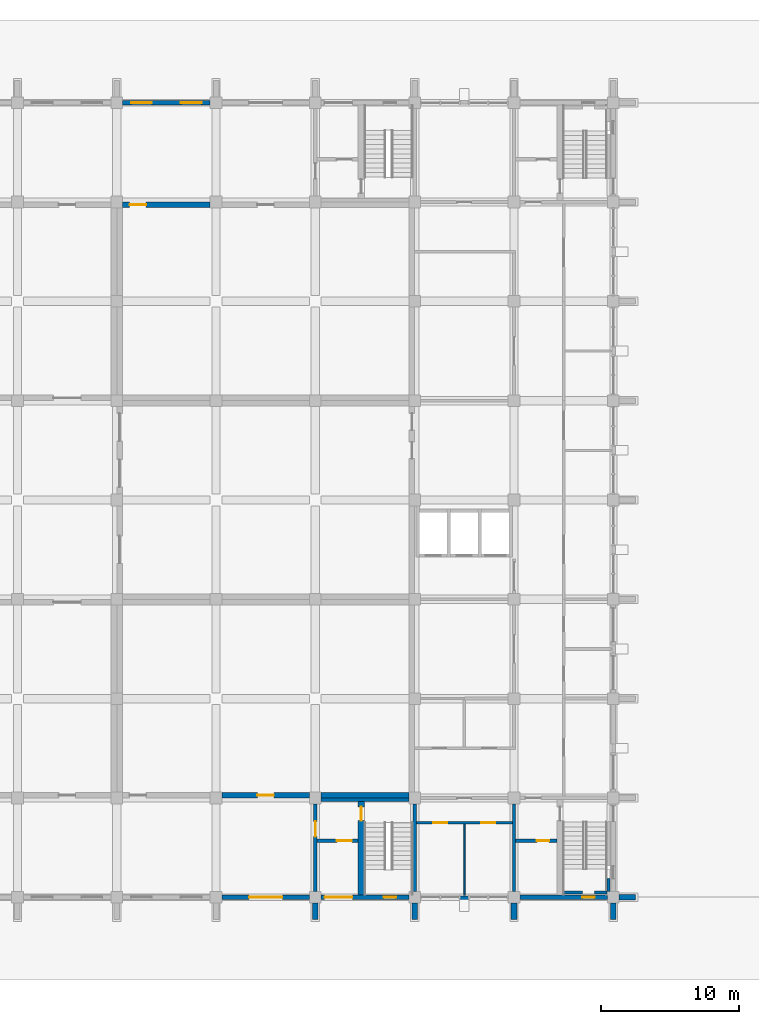
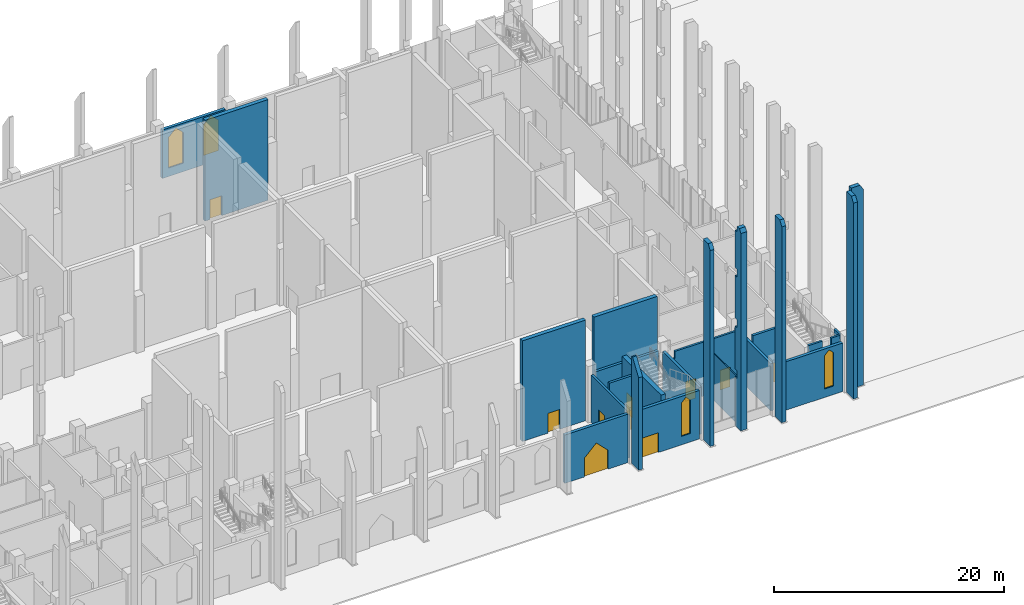
# One storey, part 36 of 50: 25 walls, 10 doors, 4 windows, 14 openings.
"""IFC4 building model written with IfcOpenShell, lengths in metres."""

from ifc_helpers import new_model, si_unit, direction, frame, frame_2d, origin, place, context, subcontext, project, spatial, polyline, rectangle, outline, extrude, material, layer, layer_set, type_object, element, fill, save


model = new_model("IFC4")

# Units and contexts
model_context = context("Model", 3, precision=1e-05, world=origin(), true_north=direction((0.0, 1.0)))
body_context = subcontext(model_context, "Body", "Model", "MODEL_VIEW")
ifc_project = project(units=[si_unit("LENGTHUNIT", "METRE"), si_unit("AREAUNIT", "SQUARE_METRE"), si_unit("VOLUMEUNIT", "CUBIC_METRE"), si_unit("PLANEANGLEUNIT", "RADIAN"), si_unit("MASSUNIT", "GRAM", prefix="KILO")], contexts=[model_context])

# Site, building, storey
site_placement = place(None, origin())
site = spatial("IfcSite", under=ifc_project, at=site_placement, CompositionType="ELEMENT")
building_placement = place(site_placement, origin())
building = spatial("IfcBuilding", under=site, at=building_placement, Name="Silangan Lancet Faculty of Sciences", CompositionType="ELEMENT")
storey_placement = place(building_placement, origin())
storey = spatial("IfcBuildingStorey", under=building, at=storey_placement, Name="L00", CompositionType="ELEMENT", Elevation=0.0)

# Wall, openings, window, door
ifc_material_1 = material(Name="Concrete C40/50 precast", Category="concrete")
ifc_layer_1 = layer(ifc_material_1, 0.300048828125)
ifc_layer_set_1 = layer_set([ifc_layer_1], Name="Concrete C40/50 precast")
wall_type_1 = type_object("IfcWallType", Name="EW2 Turret enclosure wall", PredefinedType="STANDARD", material=ifc_layer_set_1)
wall_1_placement = place(storey_placement, frame((65.22509765625, 0.0, 0.0), z_axis=(0.0, 0.0, 1.0), x_axis=(1.0, 0.0, 0.0)))
wall_1 = element("IfcWall", 1, at=wall_1_placement, inside=storey, type_object=wall_type_1, Name="EW-L00-S-SAB-05", PredefinedType="STANDARD", context=body_context, shape_type="SweptSolid", body=[
    extrude(rectangle(XDim=6.349853515625, YDim=0.300048828125, at=frame_2d((3.1748046875, 0.0))), origin(), (0.0, 0.0, 1.0), 5.14990234375),
])
opening_1_placement = place(wall_1_placement, frame((0.25, 0.0, 0.0)))
opening_1 = element("IfcOpeningElement", 2, at=opening_1_placement, cuts=wall_1, Name="Opening L00-908", PredefinedType="OPENING", context=body_context, shape_type="SweptSolid", body=[
    extrude(rectangle(XDim=2.0, YDim=2.10009765625, at=frame_2d((1.0, 1.050048828125))), frame((0.0, 0.159912109375, 0.0), z_axis=(0.0, -1.0, 0.0), x_axis=(1.0, 0.0, 0.0)), (0.0, 0.0, 1.0), 0.320068359375),
])
opening_2_placement = place(wall_1_placement, frame((4.52490234375, 0.0, 0.89990234375)))
opening_2 = element("IfcOpeningElement", 3, at=opening_2_placement, cuts=wall_1, Name="Opening W2", PredefinedType="OPENING", context=body_context, shape_type="SweptSolid", body=[
    extrude(outline(polyline([(0.0, 0.0), (0.89990234375, 0.0), (0.89990234375, 3.550048828125), (0.449951171875, 4.0), (0.0, 3.550048828125), (0.0, 0.0)])), frame((0.0, 0.159912109375, 0.0), z_axis=(0.0, -1.0, 0.0), x_axis=(1.0, 0.0, 0.0)), (0.0, 0.0, 1.0), 0.320068359375),
])
ifc_material_2 = material(Name="Aluminium frame, laminated double glazing", Category="aluminium")
window_type_1 = type_object("IfcWindowType", Name="W2 Lancet window 900 x 4000", PartitioningType="SINGLE_PANEL", PredefinedType="WINDOW", material=ifc_material_2)
window_1_placement = place(opening_2_placement, origin())
window_1 = element("IfcWindow", 4, at=window_1_placement, inside=storey, type_object=window_type_1, Name="WIN-L00-S-SAB-05b", OverallHeight=4.0, OverallWidth=0.89990234375, PartitioningType="SINGLE_PANEL", PredefinedType="WINDOW", context=body_context, shape_type="SweptSolid", body=[
    extrude(outline(polyline([(0.0, 0.0), (0.89990234375, 0.0), (0.89990234375, 3.550048828125), (0.449951171875, 4.0), (0.0, 3.550048828125), (0.0, 0.0)])), frame((0.0, 0.030029296875, 0.0), z_axis=(0.0, -1.0, 0.0), x_axis=(1.0, 0.0, 0.0)), (0.0, 0.0, 1.0), 0.06005859375),
])
fill(opening_2, window_1)
ifc_material_3 = material(Name="Steel hollow-metal, fire rated", Category="steel")
door_type_1 = type_object("IfcDoorType", Name="XD2 Exit passage door pair 2000 x 2100", OperationType="DOUBLE_DOOR_SINGLE_SWING", PredefinedType="DOOR", material=ifc_material_3)
door_1_placement = place(opening_1_placement, frame((2.0, 0.0, 0.0), z_axis=(0.0, 0.0, 1.0), x_axis=(-1.0, 0.0, 0.0)))
door_1 = element("IfcDoor", 5, at=door_1_placement, inside=storey, type_object=door_type_1, Name="DOOR-L00-908", OperationType="DOUBLE_DOOR_SINGLE_SWING", OverallHeight=2.10009765625, OverallWidth=2.0, PredefinedType="DOOR", context=body_context, shape_type="SweptSolid", body=[
    extrude(rectangle(XDim=2.0, YDim=2.10009765625, at=frame_2d((1.0, 1.050048828125))), frame((0.0, 0.025146484375, 0.0), z_axis=(0.0, -1.0, 0.0), x_axis=(1.0, 0.0, 0.0)), (0.0, 0.0, 1.0), 0.050048828125),
])
fill(opening_1, door_1)

# Wall, opening, window
wall_2_placement = place(storey_placement, frame((79.625, 0.0, 0.0), z_axis=(0.0, 0.0, 1.0), x_axis=(1.0, 0.0, 0.0)))
wall_2 = element("IfcWall", 6, at=wall_2_placement, inside=storey, type_object=wall_type_1, Name="EW-L00-S-EB-01", PredefinedType="STANDARD", context=body_context, shape_type="SweptSolid", body=[
    extrude(rectangle(XDim=6.35009765625, YDim=0.300048828125, at=frame_2d((3.175048828125, 0.0))), origin(), (0.0, 0.0, 1.0), 5.14990234375),
])
opening_3_placement = place(wall_2_placement, frame((4.52490234375, 0.0, 0.89990234375)))
opening_3 = element("IfcOpeningElement", 7, at=opening_3_placement, cuts=wall_2, Name="Opening W2", PredefinedType="OPENING", context=body_context, shape_type="SweptSolid", body=[
    extrude(outline(polyline([(0.0, 0.0), (0.89990234375, 0.0), (0.89990234375, 3.550048828125), (0.449951171875, 4.0), (0.0, 3.550048828125), (0.0, 0.0)])), frame((0.0, 0.159912109375, 0.0), z_axis=(0.0, -1.0, 0.0), x_axis=(1.0, 0.0, 0.0)), (0.0, 0.0, 1.0), 0.320068359375),
])
window_2_placement = place(opening_3_placement, origin())
window_2 = element("IfcWindow", 8, at=window_2_placement, inside=storey, type_object=window_type_1, Name="WIN-L00-S-EB-01b", OverallHeight=4.0, OverallWidth=0.89990234375, PartitioningType="SINGLE_PANEL", PredefinedType="WINDOW", context=body_context, shape_type="SweptSolid", body=[
    extrude(outline(polyline([(0.0, 0.0), (0.89990234375, 0.0), (0.89990234375, 3.550048828125), (0.449951171875, 4.0), (0.0, 3.550048828125), (0.0, 0.0)])), frame((0.0, 0.030029296875, 0.0), z_axis=(0.0, -1.0, 0.0), x_axis=(1.0, 0.0, 0.0)), (0.0, 0.0, 1.0), 0.06005859375),
])
fill(opening_3, window_2)

# Wall, opening, door
ifc_material_4 = material(Name="Concrete C40/50", Category="concrete")
ifc_layer_2 = layer(ifc_material_4, 0.300048828125)
ifc_layer_set_2 = layer_set([ifc_layer_2], Name="Concrete C40/50")
wall_type_2 = type_object("IfcWallType", Name="EW6 Stone-faced base wall", PredefinedType="STANDARD", material=ifc_layer_set_2)
wall_3_placement = place(storey_placement, frame((58.02490234375, 0.0, 0.0), z_axis=(0.0, 0.0, 1.0), x_axis=(1.0, 0.0, 0.0)))
wall_3 = element("IfcWall", 9, at=wall_3_placement, inside=storey, type_object=wall_type_2, Name="EW-L00-S-SAB-04", PredefinedType="STANDARD", context=body_context, shape_type="SweptSolid", body=[
    extrude(rectangle(XDim=6.35009765625, YDim=0.300048828125, at=frame_2d((3.175048828125, 0.0))), origin(), (0.0, 0.0, 1.0), 5.14990234375),
])
opening_4_placement = place(wall_3_placement, frame((1.97509765625, 0.0, 0.0)))
opening_4 = element("IfcOpeningElement", 10, at=opening_4_placement, cuts=wall_3, Name="Opening L00-913", PredefinedType="OPENING", context=body_context, shape_type="SweptSolid", body=[
    extrude(outline(polyline([(0.0, 0.0), (2.39990234375, 0.0), (2.39990234375, 2.0), (1.199951171875, 3.199951171875), (0.0, 2.0), (0.0, 0.0)])), frame((0.0, 0.159912109375, 0.0), z_axis=(0.0, -1.0, 0.0), x_axis=(1.0, 0.0, 0.0)), (0.0, 0.0, 1.0), 0.320068359375),
])
ifc_material_5 = material(Name="Aluminium frame, laminated glazing", Category="aluminium")
door_type_2 = type_object("IfcDoorType", Name="XD5 Entrance door pair 2400 x 3200", OperationType="DOUBLE_DOOR_SINGLE_SWING", PredefinedType="DOOR", material=ifc_material_5)
door_2_placement = place(opening_4_placement, frame((2.39990234375, 0.0, 0.0), z_axis=(0.0, 0.0, 1.0), x_axis=(-1.0, 0.0, 0.0)))
door_2 = element("IfcDoor", 11, at=door_2_placement, inside=storey, type_object=door_type_2, Name="DOOR-L00-913", OperationType="DOUBLE_DOOR_SINGLE_SWING", OverallHeight=3.199951171875, OverallWidth=2.39990234375, PredefinedType="DOOR", context=body_context, shape_type="SweptSolid", body=[
    extrude(outline(polyline([(2.39990234375, 2.0), (1.199951171875, 3.199951171875), (0.0, 2.0), (0.0, 0.0), (2.39990234375, 0.0), (2.39990234375, 2.0)])), frame((0.0, 0.025146484375, 0.0), z_axis=(0.0, -1.0, 0.0), x_axis=(1.0, 0.0, 0.0)), (0.0, 0.0, 1.0), 0.050048828125),
])
fill(opening_4, door_2)

# Wall, openings, windows
wall_4_placement = place(storey_placement, frame((57.175048828125, 57.60009765625, 0.0), z_axis=(0.0, 0.0, 1.0), x_axis=(-1.0, 0.0, 0.0)))
wall_4 = element("IfcWall", 12, at=wall_4_placement, inside=storey, type_object=wall_type_2, Name="EW-L00-N-NAB-02", PredefinedType="STANDARD", context=body_context, shape_type="SweptSolid", body=[
    extrude(rectangle(XDim=6.35009765625, YDim=0.300048828125, at=frame_2d((3.175048828125, 0.0))), origin(), (0.0, 0.0, 1.0), 5.14990234375),
])
opening_5_placement = place(wall_4_placement, frame((0.625, 0.0, 0.89990234375)))
opening_5 = element("IfcOpeningElement", 13, at=opening_5_placement, cuts=wall_4, Name="Opening W3", PredefinedType="OPENING", context=body_context, shape_type="SweptSolid", body=[
    extrude(outline(polyline([(0.0, 0.0), (1.5, 0.0), (1.5, 3.25), (0.75, 4.0), (0.0, 3.25), (0.0, 0.0)])), frame((0.0, 0.159912109375, 0.0), z_axis=(0.0, -1.0, 0.0), x_axis=(1.0, 0.0, 0.0)), (0.0, 0.0, 1.0), 0.320068359375),
])
opening_6_placement = place(wall_4_placement, frame((4.22509765625, 0.0, 0.89990234375)))
opening_6 = element("IfcOpeningElement", 14, at=opening_6_placement, cuts=wall_4, Name="Opening W3", PredefinedType="OPENING", context=body_context, shape_type="SweptSolid", body=[
    extrude(outline(polyline([(0.0, 0.0), (1.5, 0.0), (1.5, 3.25), (0.75, 4.0), (0.0, 3.25), (0.0, 0.0)])), frame((0.0, 0.159912109375, 0.0), z_axis=(0.0, -1.0, 0.0), x_axis=(1.0, 0.0, 0.0)), (0.0, 0.0, 1.0), 0.320068359375),
])
ifc_material_6 = material(Name="Aluminium frame, laminated double glazing", Category="aluminium")
window_type_2 = type_object("IfcWindowType", Name="W3 Lancet window 1500 x 4000", PartitioningType="SINGLE_PANEL", PredefinedType="WINDOW", material=ifc_material_6)
window_3_placement = place(opening_5_placement, origin())
window_3 = element("IfcWindow", 15, at=window_3_placement, inside=storey, type_object=window_type_2, Name="WIN-L00-N-NAB-02a", OverallHeight=4.0, OverallWidth=1.5, PartitioningType="SINGLE_PANEL", PredefinedType="WINDOW", context=body_context, shape_type="SweptSolid", body=[
    extrude(outline(polyline([(0.0, 0.0), (1.5, 0.0), (1.5, 3.25), (0.75, 4.0), (0.0, 3.25), (0.0, 0.0)])), frame((0.0, 0.030029296875, 0.0), z_axis=(0.0, -1.0, 0.0), x_axis=(1.0, 0.0, 0.0)), (0.0, 0.0, 1.0), 0.06005859375),
])
fill(opening_5, window_3)
window_4_placement = place(opening_6_placement, origin())
window_4 = element("IfcWindow", 16, at=window_4_placement, inside=storey, type_object=window_type_2, Name="WIN-L00-N-NAB-02b", OverallHeight=4.0, OverallWidth=1.5, PartitioningType="SINGLE_PANEL", PredefinedType="WINDOW", context=body_context, shape_type="SweptSolid", body=[
    extrude(outline(polyline([(0.0, 0.0), (1.5, 0.0), (1.5, 3.25), (0.75, 4.0), (0.0, 3.25), (0.0, 0.0)])), frame((0.0, 0.030029296875, 0.0), z_axis=(0.0, -1.0, 0.0), x_axis=(1.0, 0.0, 0.0)), (0.0, 0.0, 1.0), 0.06005859375),
])
fill(opening_6, window_4)

# Walls
ifc_material_7 = material(Name="Concrete C40/50 precast", Category="concrete")
ifc_layer_3 = layer(ifc_material_7, 0.60009765625)
ifc_layer_set_3 = layer_set([ifc_layer_3], Name="Concrete C40/50 precast")
wall_type_3 = type_object("IfcWallType", Name="FN1 Buttress Fin mid-bay stage 1 21350", PredefinedType="POLYGONAL", material=ifc_layer_set_3)
wall_5_placement = place(storey_placement, frame((75.60009765625, 0.10009765625, 0.0), z_axis=(0.0, 0.0, 1.0), x_axis=(0.0, -1.0, 0.0)))
element("IfcWall", 17, at=wall_5_placement, inside=storey, type_object=wall_type_3, Name="FIN-S-EB-1", PredefinedType="POLYGONAL", context=body_context, shape_type="SweptSolid", body=[
    extrude(outline(polyline([(1.0, 0.0), (1.0, 20.97509765625), (0.75, 21.35009765625), (0.35009765625, 21.35009765625), (0.35009765625, 20.75), (0.0, 20.75), (0.0, 16.800048828125), (0.35009765625, 16.800048828125), (0.35009765625, 15.949951171875), (0.0, 15.949951171875), (0.0, 11.39990234375), (0.35009765625, 11.39990234375), (0.35009765625, 10.550048828125), (0.0, 10.550048828125), (0.0, 6.0), (0.35009765625, 6.0), (0.35009765625, 5.14990234375), (0.0, 5.14990234375), (0.0, 0.0), (1.0, 0.0)])), frame((0.0, 0.300048828125, 0.0), z_axis=(0.0, -1.0, 0.0), x_axis=(1.0, 0.0, 0.0)), (0.0, 0.0, 1.0), 0.60009765625),
])
ifc_material_8 = material(Name="Concrete C40/50 precast", Category="concrete")
ifc_layer_4 = layer(ifc_material_8, 0.39990234375)
ifc_layer_set_4 = layer_set([ifc_layer_4], Name="Concrete C40/50 precast")
wall_type_4 = type_object("IfcWallType", Name="FN52 Buttress Fin column line stage 1 11400", PredefinedType="POLYGONAL", material=ifc_layer_set_4)
wall_6_placement = place(storey_placement, frame((64.800048828125, -0.425048828125, 0.0), z_axis=(0.0, 0.0, 1.0), x_axis=(0.0, -1.0, 0.0)))
element("IfcWall", 18, at=wall_6_placement, inside=storey, type_object=wall_type_4, Name="FINC-S-SAB-06", PredefinedType="POLYGONAL", context=body_context, shape_type="SweptSolid", body=[
    extrude(outline(polyline([(1.199951171875, 0.0), (1.199951171875, 9.824951171875), (0.14990234375, 11.39990234375), (0.0, 11.39990234375), (0.0, 0.0), (1.199951171875, 0.0)])), frame((0.0, 0.199951171875, 0.0), z_axis=(0.0, -1.0, 0.0), x_axis=(1.0, 0.0, 0.0)), (0.0, 0.0, 1.0), 0.39990234375),
])
ifc_material_9 = material(Name="Concrete C40/50 precast", Category="concrete")
ifc_layer_5 = layer(ifc_material_9, 0.39990234375)
ifc_layer_set_5 = layer_set([ifc_layer_5], Name="Concrete C40/50 precast")
wall_type_5 = type_object("IfcWallType", Name="FN55 Buttress Fin column line stage 1 21350", PredefinedType="POLYGONAL", material=ifc_layer_set_5)
for number, where, z_axis, x_axis, name in (
    (19, (72.0, -0.425048828125, 0.0), (0.0, 0.0, 1.0), (0.0, -1.0, 0.0), "FINC-S-EB-01"),
    (20, (79.199951171875, -0.425048828125, 0.0), (0.0, 0.0, 1.0), (0.0, -1.0, 0.0), "FINC-S-EB-02"),
    (21, (86.39990234375, -0.425048828125, 0.0), (0.0, 0.0, 1.0), (0.0, -1.0, 0.0), "FINC-S-EB-03"),
    (22, (86.824951171875, 0.0, 0.0), (0.0, 0.0, 1.0), (1.0, 0.0, 0.0), "FINC-E-EB-01"),
):
    element("IfcWall", number, at=place(storey_placement, frame(where, z_axis=z_axis, x_axis=x_axis)), inside=storey, type_object=wall_type_5, Name=name, PredefinedType="POLYGONAL", context=body_context, shape_type="SweptSolid", body=[
        extrude(outline(polyline([(1.199951171875, 0.0), (1.199951171875, 20.824951171875), (0.85009765625, 21.35009765625), (0.0, 21.35009765625), (0.0, 0.0), (1.199951171875, 0.0)])), frame((0.0, 0.199951171875, 0.0), z_axis=(0.0, -1.0, 0.0), x_axis=(1.0, 0.0, 0.0)), (0.0, 0.0, 1.0), 0.39990234375),
    ])

# Wall, openings, doors
ifc_material_10 = material(Name="Hollow block masonry fm 7 MPa", Category="masonry")
ifc_layer_6 = layer(ifc_material_10, 0.199951171875)
ifc_layer_set_6 = layer_set([ifc_layer_6], Name="Hollow block masonry fm 7 MPa")
wall_type_6 = type_object("IfcWallType", Name="Interior wall PW1 Corridor wall CHB 200", PredefinedType="PARTITIONING", material=ifc_layer_set_6)
wall_7_placement = place(storey_placement, frame((72.125, 5.39990234375, 0.0), z_axis=(0.0, 0.0, 1.0), x_axis=(1.0, 0.0, 0.0)))
wall_7 = element("IfcWall", 23, at=wall_7_placement, inside=storey, type_object=wall_type_6, Name="Corridor wall CHB 200", PredefinedType="PARTITIONING", context=body_context, shape_type="SweptSolid", body=[
    extrude(outline(polyline([(0.0, 0.0), (6.949951171875, 0.0), (6.949951171875, 5.0), (6.824951171875, 5.0), (6.824951171875, 5.75), (0.125, 5.75), (0.125, 5.0), (0.0, 5.0), (0.0, 0.0)])), frame((0.0, 0.10009765625, 0.0), z_axis=(0.0, -1.0, 0.0), x_axis=(1.0, 0.0, 0.0)), (0.0, 0.0, 1.0), 0.199951171875),
])
opening_7_placement = place(wall_7_placement, frame((1.237548828125, 0.0, 0.0)))
opening_7 = element("IfcOpeningElement", 24, at=opening_7_placement, cuts=wall_7, Name="Opening L00-022", PredefinedType="OPENING", context=body_context, shape_type="SweptSolid", body=[
    extrude(rectangle(XDim=1.0, YDim=2.10009765625, at=frame_2d((0.5, 1.050048828125))), frame((0.0, 0.10986328125, 0.0), z_axis=(0.0, -1.0, 0.0), x_axis=(1.0, 0.0, 0.0)), (0.0, 0.0, 1.0), 0.219970703125),
])
opening_8_placement = place(wall_7_placement, frame((4.71240234375, 0.0, 0.0)))
opening_8 = element("IfcOpeningElement", 25, at=opening_8_placement, cuts=wall_7, Name="Opening L00-023", PredefinedType="OPENING", context=body_context, shape_type="SweptSolid", body=[
    extrude(rectangle(XDim=1.0, YDim=2.10009765625, at=frame_2d((0.5, 1.050048828125))), frame((0.0, 0.10986328125, 0.0), z_axis=(0.0, -1.0, 0.0), x_axis=(1.0, 0.0, 0.0)), (0.0, 0.0, 1.0), 0.219970703125),
])
ifc_material_11 = material(Name="Steel fire door set", Category="steel")
door_type_3 = type_object("IfcDoorType", Name="Door D1 Single leaf fire door 1000 x 2100", OperationType="SINGLE_SWING_LEFT", PredefinedType="DOOR", material=ifc_material_11)
door_3_placement = place(opening_7_placement, frame((1.0, 0.0, 0.0), z_axis=(0.0, 0.0, 1.0), x_axis=(-1.0, 0.0, 0.0)))
door_3 = element("IfcDoor", 26, at=door_3_placement, inside=storey, type_object=door_type_3, Name="Single leaf fire door 1000 x 2100", OperationType="SINGLE_SWING_RIGHT", OverallHeight=2.10009765625, OverallWidth=1.0, PredefinedType="DOOR", context=body_context, shape_type="SweptSolid", body=[
    extrude(rectangle(XDim=1.0, YDim=2.10009765625, at=frame_2d((0.5, 1.050048828125))), frame((0.0, 0.025146484375, 0.0), z_axis=(0.0, -1.0, 0.0), x_axis=(1.0, 0.0, 0.0)), (0.0, 0.0, 1.0), 0.050048828125),
])
fill(opening_7, door_3)
door_4_placement = place(opening_8_placement, frame((1.0, 0.0, 0.0), z_axis=(0.0, 0.0, 1.0), x_axis=(-1.0, 0.0, 0.0)))
door_4 = element("IfcDoor", 27, at=door_4_placement, inside=storey, type_object=door_type_3, Name="Single leaf fire door 1000 x 2100", OperationType="SINGLE_SWING_LEFT", OverallHeight=2.10009765625, OverallWidth=1.0, PredefinedType="DOOR", context=body_context, shape_type="SweptSolid", body=[
    extrude(rectangle(XDim=1.0, YDim=2.10009765625, at=frame_2d((0.5, 1.050048828125))), frame((0.0, 0.025146484375, 0.0), z_axis=(0.0, -1.0, 0.0), x_axis=(1.0, 0.0, 0.0)), (0.0, 0.0, 1.0), 0.050048828125),
])
fill(opening_8, door_4)

# Wall, opening, door
ifc_material_12 = material(Name="Concrete C35/45", Category="concrete")
ifc_layer_7 = layer(ifc_material_12, 0.39990234375)
ifc_layer_set_7 = layer_set([ifc_layer_7], Name="Concrete C35/45")
wall_type_7 = type_object("IfcWallType", Name="Interior wall PW10 Theatre box wall RC 400", PredefinedType="SOLIDWALL", material=ifc_layer_set_7)
wall_8_placement = place(storey_placement, frame((58.02490234375, 7.39990234375, 0.0), z_axis=(0.0, 0.0, 1.0), x_axis=(1.0, 0.0, 0.0)))
wall_8 = element("IfcWall", 28, at=wall_8_placement, inside=storey, type_object=wall_type_7, Name="Theatre box wall RC 400", PredefinedType="SOLIDWALL", context=body_context, shape_type="SweptSolid", body=[
    extrude(rectangle(XDim=6.35009765625, YDim=0.39990234375, at=frame_2d((3.175048828125, 0.0))), origin(), (0.0, 0.0, 1.0), 10.699951171875),
])
opening_9_placement = place(wall_8_placement, frame((2.574951171875, 0.0, 0.0)))
opening_9 = element("IfcOpeningElement", 29, at=opening_9_placement, cuts=wall_8, Name="Opening L00-011", PredefinedType="OPENING", context=body_context, shape_type="SweptSolid", body=[
    extrude(rectangle(XDim=1.199951171875, YDim=2.10009765625, at=frame_2d((0.60009765625, 1.050048828125))), frame((0.0, 0.2099609375, 0.0), z_axis=(0.0, -1.0, 0.0), x_axis=(1.0, 0.0, 0.0)), (0.0, 0.0, 1.0), 0.419921875),
])
ifc_material_13 = material(Name="Steel fire door set", Category="steel")
door_type_4 = type_object("IfcDoorType", Name="Door D3 Theatre exit door 1200 x 2100", OperationType="SINGLE_SWING_RIGHT", PredefinedType="DOOR", material=ifc_material_13)
door_5_placement = place(opening_9_placement, frame((1.199951171875, 0.0, 0.0), z_axis=(0.0, 0.0, 1.0), x_axis=(-1.0, 0.0, 0.0)))
door_5 = element("IfcDoor", 30, at=door_5_placement, inside=storey, type_object=door_type_4, Name="Theatre exit door 1200 x 2100", OperationType="SINGLE_SWING_RIGHT", OverallHeight=2.10009765625, OverallWidth=1.199951171875, PredefinedType="DOOR", context=body_context, shape_type="SweptSolid", body=[
    extrude(rectangle(XDim=1.199951171875, YDim=2.10009765625, at=frame_2d((0.60009765625, 1.050048828125))), frame((0.0, 0.025146484375, 0.0), z_axis=(0.0, -1.0, 0.0), x_axis=(1.0, 0.0, 0.0)), (0.0, 0.0, 1.0), 0.050048828125),
])
fill(opening_9, door_5)

# Wall
wall_9_placement = place(storey_placement, frame((65.22509765625, 7.39990234375, 0.0), z_axis=(0.0, 0.0, 1.0), x_axis=(1.0, 0.0, 0.0)))
element("IfcWall", 31, at=wall_9_placement, inside=storey, type_object=wall_type_7, Name="Theatre box wall RC 400", PredefinedType="SOLIDWALL", context=body_context, shape_type="SweptSolid", body=[
    extrude(rectangle(XDim=6.349853515625, YDim=0.39990234375, at=frame_2d((3.1748046875, 0.0))), origin(), (0.0, 0.0, 1.0), 10.699951171875),
])

# Wall, opening, door
wall_10_placement = place(storey_placement, frame((50.824951171875, 50.199951171875, 0.0), z_axis=(0.0, 0.0, 1.0), x_axis=(1.0, 0.0, 0.0)))
wall_10 = element("IfcWall", 32, at=wall_10_placement, inside=storey, type_object=wall_type_7, Name="Theatre box wall RC 400", PredefinedType="SOLIDWALL", context=body_context, shape_type="SweptSolid", body=[
    extrude(rectangle(XDim=6.35009765625, YDim=0.39990234375, at=frame_2d((3.175048828125, 0.0))), origin(), (0.0, 0.0, 1.0), 10.699951171875),
])
opening_10_placement = place(wall_10_placement, frame((0.5, 0.0, 0.0)))
opening_10 = element("IfcOpeningElement", 33, at=opening_10_placement, cuts=wall_10, Name="Opening L00-016", PredefinedType="OPENING", context=body_context, shape_type="SweptSolid", body=[
    extrude(rectangle(XDim=1.199951171875, YDim=2.10009765625, at=frame_2d((0.60009765625, 1.050048828125))), frame((0.0, 0.2099609375, 0.0), z_axis=(0.0, -1.0, 0.0), x_axis=(1.0, 0.0, 0.0)), (0.0, 0.0, 1.0), 0.419921875),
])
door_6_placement = place(opening_10_placement, origin())
door_6 = element("IfcDoor", 34, at=door_6_placement, inside=storey, type_object=door_type_4, Name="Theatre exit door 1200 x 2100", OperationType="SINGLE_SWING_LEFT", OverallHeight=2.10009765625, OverallWidth=1.199951171875, PredefinedType="DOOR", context=body_context, shape_type="SweptSolid", body=[
    extrude(rectangle(XDim=1.199951171875, YDim=2.10009765625, at=frame_2d((0.60009765625, 1.050048828125))), frame((0.0, 0.02490234375, 0.0), z_axis=(0.0, -1.0, 0.0), x_axis=(1.0, 0.0, 0.0)), (0.0, 0.0, 1.0), 0.050048828125),
])
fill(opening_10, door_6)

# Wall
ifc_material_14 = material(Name="Hollow block masonry fm 7 MPa", Category="masonry")
ifc_layer_8 = layer(ifc_material_14, 0.10009765625)
ifc_layer_set_8 = layer_set([ifc_layer_8], Name="Hollow block masonry fm 7 MPa")
wall_type_8 = type_object("IfcWallType", Name="Interior wall PW8 WC partition CHB 100", PredefinedType="PARTITIONING", material=ifc_layer_set_8)
wall_11_placement = place(storey_placement, frame((75.60009765625, 0.14990234375, 0.0), z_axis=(0.0, 0.0, 1.0), x_axis=(0.0, 1.0, 0.0)))
element("IfcWall", 35, at=wall_11_placement, inside=storey, type_object=wall_type_8, Name="WC partition CHB 100", PredefinedType="PARTITIONING", context=body_context, shape_type="SweptSolid", body=[
    extrude(rectangle(XDim=5.150146484375, YDim=0.10009765625, at=frame_2d((2.5751953125, 0.0))), origin(), (0.0, 0.0, 1.0), 5.0),
])

# Wall, opening, door
ifc_material_15 = material(Name="Concrete C40/50", Category="concrete")
ifc_layer_9 = layer(ifc_material_15, 0.449951171875)
ifc_layer_set_9 = layer_set([ifc_layer_9], Name="Concrete C40/50")
wall_type_9 = type_object("IfcWallType", Name="TURRET CORE WALL RC 450", PredefinedType="SHEAR", material=ifc_layer_set_9)
wall_12_placement = place(storey_placement, frame((68.125, 0.14990234375, 0.0), z_axis=(0.0, 0.0, 1.0), x_axis=(0.0, 1.0, 0.0)))
wall_12 = element("IfcWall", 36, at=wall_12_placement, inside=storey, type_object=wall_type_9, Name="WALL-L00-SAB-B-WELL", PredefinedType="SHEAR", context=body_context, shape_type="SweptSolid", body=[
    extrude(rectangle(XDim=6.800048828125, YDim=0.449951171875, at=frame_2d((3.39990234375, 0.0))), origin(), (0.0, 0.0, 1.0), 5.75),
])
opening_11_placement = place(wall_12_placement, frame((5.39990234375, 0.0, 0.0)))
opening_11 = element("IfcOpeningElement", 37, at=opening_11_placement, cuts=wall_12, Name="Opening L00-722", PredefinedType="OPENING", context=body_context, shape_type="SweptSolid", body=[
    extrude(rectangle(XDim=1.0, YDim=2.10009765625, at=frame_2d((0.5, 1.050048828125))), frame((0.0, 0.23486328125, 0.0), z_axis=(0.0, -1.0, 0.0), x_axis=(1.0, 0.0, 0.0)), (0.0, 0.0, 1.0), 0.469970703125),
])
ifc_material_16 = material(Name="Steel fire door set", Category="steel")
door_type_5 = type_object("IfcDoorType", Name="D71 Stair enclosure door 1000x2100", OperationType="SINGLE_SWING_LEFT", PredefinedType="DOOR", material=ifc_material_16)
door_7_placement = place(opening_11_placement, frame((1.0, 0.0, 0.0), z_axis=(0.0, 0.0, 1.0), x_axis=(-1.0, 0.0, 0.0)))
door_7 = element("IfcDoor", 38, at=door_7_placement, inside=storey, type_object=door_type_5, Name="Stair enclosure door SAB-B L00", OperationType="SINGLE_SWING_LEFT", OverallHeight=2.10009765625, OverallWidth=1.0, PredefinedType="DOOR", context=body_context, shape_type="SweptSolid", body=[
    extrude(rectangle(XDim=1.0, YDim=2.10009765625, at=frame_2d((0.5, 1.050048828125))), frame((0.0, 0.025146484375, 0.0), z_axis=(0.0, -1.0, 0.0), x_axis=(1.0, 0.0, 0.0)), (0.0, 0.0, 1.0), 0.050048828125),
])
fill(opening_11, door_7)

# Walls
ifc_material_17 = material(Name="Concrete C40/50", Category="concrete")
ifc_layer_10 = layer(ifc_material_17, 0.199951171875)
ifc_layer_set_10 = layer_set([ifc_layer_10], Name="Concrete C40/50")
wall_type_10 = type_object("IfcWallType", Name="TURRET LINING WALL RC 200", PredefinedType="SHEAR", material=ifc_layer_set_10)
wall_13_placement = place(storey_placement, frame((86.050048828125, 0.425048828125, -0.300048828125), z_axis=(0.0, 0.0, 1.0), x_axis=(0.0, 1.0, 0.0)))
element("IfcWall", 39, at=wall_13_placement, inside=storey, type_object=wall_type_10, Name="WALL-L00-EB-A-WL", PredefinedType="SHEAR", context=body_context, shape_type="SweptSolid", body=[
    extrude(rectangle(XDim=0.925048828125, YDim=0.199951171875, at=frame_2d((0.46240234375, 0.0))), origin(), (0.0, 0.0, 1.0), 6.050048828125),
])
wall_14_placement = place(storey_placement, frame((82.75, 0.35009765625, -0.300048828125), z_axis=(0.0, 0.0, 1.0), x_axis=(1.0, 0.0, 0.0)))
element("IfcWall", 40, at=wall_14_placement, inside=storey, type_object=wall_type_10, Name="WALL-L00-EB-A-WLD", PredefinedType="SHEAR", context=body_context, shape_type="SweptSolid", body=[
    extrude(rectangle(XDim=1.39990234375, YDim=0.199951171875, at=frame_2d((0.699951171875, 0.0))), origin(), (0.0, 0.0, 1.0), 6.050048828125),
])
wall_15_placement = place(storey_placement, frame((85.050048828125, 0.35009765625, -0.300048828125), z_axis=(0.0, 0.0, 1.0), x_axis=(1.0, 0.0, 0.0)))
element("IfcWall", 41, at=wall_15_placement, inside=storey, type_object=wall_type_10, Name="WALL-L00-EB-A-WLD-2", PredefinedType="SHEAR", context=body_context, shape_type="SweptSolid", body=[
    extrude(rectangle(XDim=0.89990234375, YDim=0.199951171875, at=frame_2d((0.449951171875, 0.0))), origin(), (0.0, 0.0, 1.0), 6.050048828125),
])
ifc_material_18 = material(Name="Concrete C40/50", Category="concrete")
ifc_layer_11 = layer(ifc_material_18, 0.25)
ifc_layer_set_11 = layer_set([ifc_layer_11], Name="Concrete C40/50")
wall_type_11 = type_object("IfcWallType", Name="TURRET WALL RC 250", PredefinedType="SHEAR", material=ifc_layer_set_11)
wall_16_placement = place(storey_placement, frame((79.199951171875, 0.425048828125, 0.0), z_axis=(0.0, 0.0, 1.0), x_axis=(0.0, 1.0, 0.0)))
element("IfcWall", 42, at=wall_16_placement, inside=storey, type_object=wall_type_11, Name="WALL-L00-EB-A-O", PredefinedType="SHEAR", context=body_context, shape_type="SweptSolid", body=[
    extrude(rectangle(XDim=6.349853515625, YDim=0.25, at=frame_2d((3.1748046875, 0.0))), origin(), (0.0, 0.0, 1.0), 5.0),
])

# Wall, opening, door
wall_17_placement = place(storey_placement, frame((79.324951171875, 4.10009765625, 0.0), z_axis=(0.0, 0.0, 1.0), x_axis=(1.0, 0.0, 0.0)))
wall_17 = element("IfcWall", 43, at=wall_17_placement, inside=storey, type_object=wall_type_11, Name="WALL-L00-EB-A-RISER", PredefinedType="SHEAR", context=body_context, shape_type="SweptSolid", body=[
    extrude(rectangle(XDim=2.97509765625, YDim=0.25, at=frame_2d((1.487548828125, 0.0))), origin(), (0.0, 0.0, 1.0), 5.75),
])
opening_12_placement = place(wall_17_placement, frame((1.52490234375, 0.0, 0.0)))
opening_12 = element("IfcOpeningElement", 44, at=opening_12_placement, cuts=wall_17, Name="Opening L00-703", PredefinedType="OPENING", context=body_context, shape_type="SweptSolid", body=[
    extrude(rectangle(XDim=0.89990234375, YDim=2.10009765625, at=frame_2d((0.449951171875, 1.050048828125))), frame((0.0, 0.135009765625, 0.0), z_axis=(0.0, -1.0, 0.0), x_axis=(1.0, 0.0, 0.0)), (0.0, 0.0, 1.0), 0.27001953125),
])
ifc_material_19 = material(Name="Steel fire door set", Category="steel")
door_type_6 = type_object("IfcDoorType", Name="D72 Riser access door 900x2100", OperationType="SINGLE_SWING_LEFT", PredefinedType="DOOR", material=ifc_material_19)
door_8_placement = place(opening_12_placement, frame((0.89990234375, 0.0, 0.0), z_axis=(0.0, 0.0, 1.0), x_axis=(-1.0, 0.0, 0.0)))
door_8 = element("IfcDoor", 45, at=door_8_placement, inside=storey, type_object=door_type_6, Name="Riser access door EB-A L00", OperationType="SINGLE_SWING_RIGHT", OverallHeight=2.10009765625, OverallWidth=0.89990234375, PredefinedType="DOOR", context=body_context, shape_type="SweptSolid", body=[
    extrude(rectangle(XDim=0.89990234375, YDim=2.10009765625, at=frame_2d((0.449951171875, 1.050048828125))), frame((0.0, 0.025146484375, 0.0), z_axis=(0.0, -1.0, 0.0), x_axis=(1.0, 0.0, 0.0)), (0.0, 0.0, 1.0), 0.050048828125),
])
fill(opening_12, door_8)

# Walls
wall_18_placement = place(storey_placement, frame((65.22509765625, 7.074951171875, 0.0), z_axis=(0.0, 0.0, 1.0), x_axis=(1.0, 0.0, 0.0)))
element("IfcWall", 46, at=wall_18_placement, inside=storey, type_object=wall_type_11, Name="WALL-L00-SAB-B-V", PredefinedType="SHEAR", context=body_context, shape_type="SweptSolid", body=[
    extrude(rectangle(XDim=6.349853515625, YDim=0.25, at=frame_2d((3.1748046875, 0.0))), origin(), (0.0, 0.0, 1.0), 5.050048828125),
])
wall_19_placement = place(storey_placement, frame((72.0, 0.425048828125, 0.0), z_axis=(0.0, 0.0, 1.0), x_axis=(0.0, 1.0, 0.0)))
element("IfcWall", 47, at=wall_19_placement, inside=storey, type_object=wall_type_11, Name="WALL-L00-SAB-B-W", PredefinedType="SHEAR", context=body_context, shape_type="SweptSolid", body=[
    extrude(rectangle(XDim=6.349853515625, YDim=0.25, at=frame_2d((3.1748046875, 0.0))), origin(), (0.0, 0.0, 1.0), 5.0),
])

# Wall, opening, door
wall_20_placement = place(storey_placement, frame((64.800048828125, 0.425048828125, 0.0), z_axis=(0.0, 0.0, 1.0), x_axis=(0.0, 1.0, 0.0)))
wall_20 = element("IfcWall", 48, at=wall_20_placement, inside=storey, type_object=wall_type_11, Name="WALL-L00-SAB-B-O", PredefinedType="SHEAR", context=body_context, shape_type="SweptSolid", body=[
    extrude(rectangle(XDim=6.349853515625, YDim=0.25, at=frame_2d((3.1748046875, 0.0))), origin(), (0.0, 0.0, 1.0), 5.0),
])
opening_13_placement = place(wall_20_placement, frame((3.97509765625, 0.0, 0.0)))
opening_13 = element("IfcOpeningElement", 49, at=opening_13_placement, cuts=wall_20, Name="Opening L00-723", PredefinedType="OPENING", context=body_context, shape_type="SweptSolid", body=[
    extrude(rectangle(XDim=1.10009765625, YDim=2.10009765625, at=frame_2d((0.550048828125, 1.050048828125))), frame((0.0, 0.135009765625, 0.0), z_axis=(0.0, -1.0, 0.0), x_axis=(1.0, 0.0, 0.0)), (0.0, 0.0, 1.0), 0.27001953125),
])
ifc_material_20 = material(Name="Steel fire door set", Category="steel")
door_type_7 = type_object("IfcDoorType", Name="D70 Stair vestibule door 1100x2100", OperationType="SINGLE_SWING_LEFT", PredefinedType="DOOR", material=ifc_material_20)
door_9_placement = place(opening_13_placement, frame((1.10009765625, 0.0, 0.0), z_axis=(0.0, 0.0, 1.0), x_axis=(-1.0, 0.0, 0.0)))
door_9 = element("IfcDoor", 50, at=door_9_placement, inside=storey, type_object=door_type_7, Name="Stair vestibule door SAB-B L00", OperationType="SINGLE_SWING_LEFT", OverallHeight=2.10009765625, OverallWidth=1.10009765625, PredefinedType="DOOR", context=body_context, shape_type="SweptSolid", body=[
    extrude(rectangle(XDim=1.10009765625, YDim=2.10009765625, at=frame_2d((0.550048828125, 1.050048828125))), frame((0.0, 0.025146484375, 0.0), z_axis=(0.0, -1.0, 0.0), x_axis=(1.0, 0.0, 0.0)), (0.0, 0.0, 1.0), 0.050048828125),
])
fill(opening_13, door_9)

wall_21_placement = place(storey_placement, frame((64.925048828125, 4.10009765625, 0.0), z_axis=(0.0, 0.0, 1.0), x_axis=(1.0, 0.0, 0.0)))
wall_21 = element("IfcWall", 51, at=wall_21_placement, inside=storey, type_object=wall_type_11, Name="WALL-L00-SAB-B-RISER", PredefinedType="SHEAR", context=body_context, shape_type="SweptSolid", body=[
    extrude(rectangle(XDim=2.974853515625, YDim=0.25, at=frame_2d((1.4873046875, 0.0))), origin(), (0.0, 0.0, 1.0), 5.75),
])
opening_14_placement = place(wall_21_placement, frame((1.425048828125, 0.0, 0.0)))
opening_14 = element("IfcOpeningElement", 52, at=opening_14_placement, cuts=wall_21, Name="Opening L00-724", PredefinedType="OPENING", context=body_context, shape_type="SweptSolid", body=[
    extrude(rectangle(XDim=1.10009765625, YDim=2.10009765625, at=frame_2d((0.550048828125, 1.050048828125))), frame((0.0, 0.135009765625, 0.0), z_axis=(0.0, -1.0, 0.0), x_axis=(1.0, 0.0, 0.0)), (0.0, 0.0, 1.0), 0.27001953125),
])
door_10_placement = place(opening_14_placement, frame((1.10009765625, 0.0, 0.0), z_axis=(0.0, 0.0, 1.0), x_axis=(-1.0, 0.0, 0.0)))
door_10 = element("IfcDoor", 53, at=door_10_placement, inside=storey, type_object=door_type_7, Name="Exit passageway door SAB-B L00", OperationType="SINGLE_SWING_RIGHT", OverallHeight=2.10009765625, OverallWidth=1.10009765625, PredefinedType="DOOR", context=body_context, shape_type="SweptSolid", body=[
    extrude(rectangle(XDim=1.10009765625, YDim=2.10009765625, at=frame_2d((0.550048828125, 1.050048828125))), frame((0.0, 0.025146484375, 0.0), z_axis=(0.0, -1.0, 0.0), x_axis=(1.0, 0.0, 0.0)), (0.0, 0.0, 1.0), 0.050048828125),
])
fill(opening_14, door_10)

save(model, "model.ifc")
